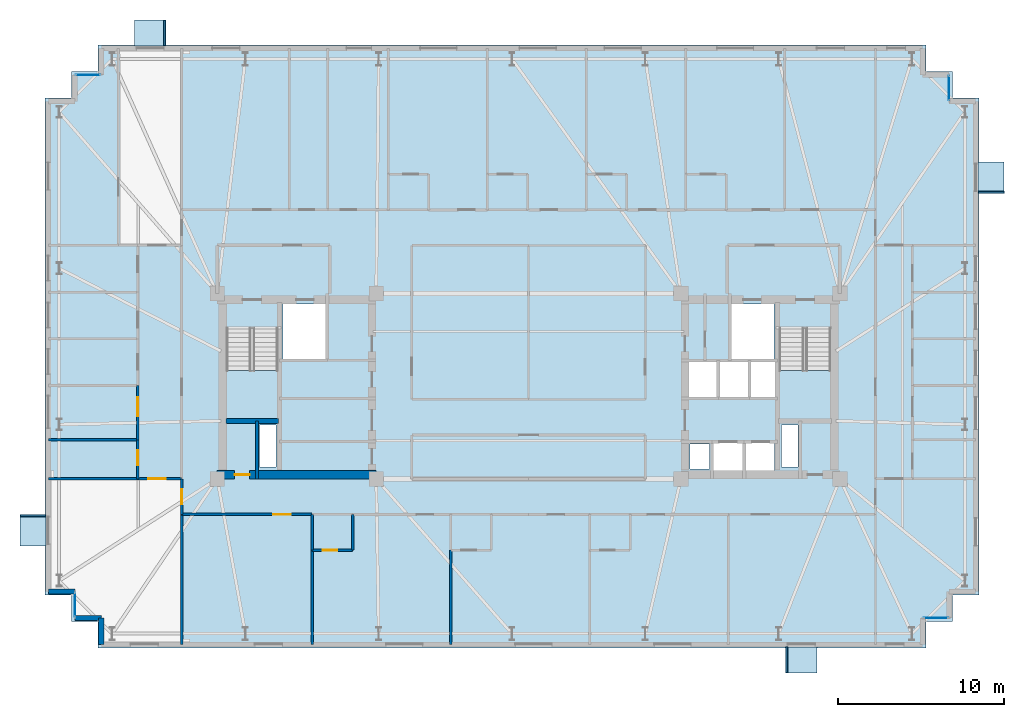
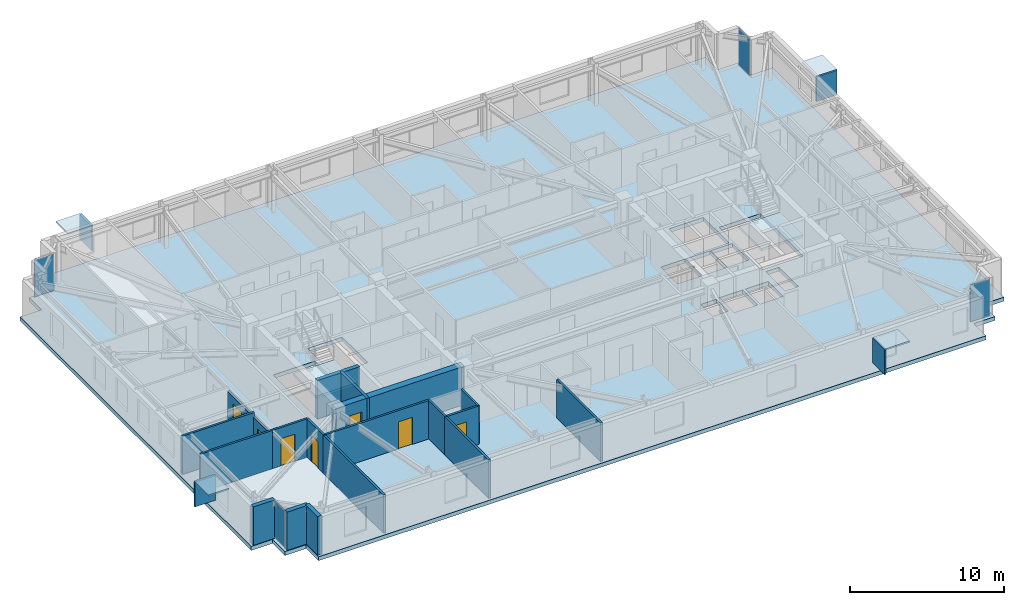
# One storey, part 10 of 19: 19 walls, 12 plates, 7 doors, 3 slabs, 7 openings, 6 elements without a shape of their own.
"""IFC4 building model written with IfcOpenShell, lengths in metres."""

from ifc_helpers import new_model, si_unit, direction, frame, frame_2d, origin, origin_2d, place, context, subcontext, project, spatial, polyline, rectangle, outline, extrude, material, layer, layer_set, type_object, element, fill, aggregate, save


model = new_model("IFC4")

# Units and contexts
model_context = context("Model", 3, precision=1e-05, world=origin(), true_north=direction((0.0, 1.0)))
body_context = subcontext(model_context, "Body", "Model", "MODEL_VIEW")
ifc_project = project(units=[si_unit("LENGTHUNIT", "METRE"), si_unit("AREAUNIT", "SQUARE_METRE"), si_unit("VOLUMEUNIT", "CUBIC_METRE"), si_unit("PLANEANGLEUNIT", "RADIAN"), si_unit("MASSUNIT", "GRAM", prefix="KILO")], contexts=[model_context])

# Site, building, storey
site_placement = place(None, origin())
site = spatial("IfcSite", under=ifc_project, at=site_placement, CompositionType="ELEMENT")
building_placement = place(site_placement, origin())
building = spatial("IfcBuilding", under=site, at=building_placement, Name="Qobustan Lattice House", CompositionType="ELEMENT")
storey_placement = place(building_placement, frame((0.0, 0.0, 137.699951171875)))
storey = spatial("IfcBuildingStorey", under=building, at=storey_placement, Name="L38", CompositionType="ELEMENT", Elevation=137.699951171875)

# Curtain wall, plate
ifc_material_1 = material(Name="Anodised aluminium and low-E glazing", Category="aluminium")
ifc_layer_1 = layer(ifc_material_1, 0.219970703125)
ifc_layer_set_1 = layer_set([ifc_layer_1], Name="Anodised aluminium and low-E glazing")
curtain_wall_type = type_object("IfcCurtainWallType", Name="CW-FAC-02", PredefinedType="USERDEFINED", material=ifc_layer_set_1)
curtain_wall_1_placement = place(storey_placement, origin())
curtain_wall_1 = element("IfcCurtainWall", 1, at=curtain_wall_1_placement, inside=storey, type_object=curtain_wall_type, Name="L38 serrated corner faceted glazing 3", ObjectType="CURTAIN WALL", PredefinedType="USERDEFINED")
ifc_material_2 = material(Name="Clear low-E laminated glass", Category="glass")
ifc_layer_2 = layer(ifc_material_2, 0.031982421875)
ifc_layer_set_2 = layer_set([ifc_layer_2], Name="Clear low-E laminated glass")
plate_type_1 = type_object("IfcPlateType", Name="CWP-VISION-32", PredefinedType="CURTAIN_PANEL", material=ifc_layer_set_2)
plate_1_placement = place(storey_placement, frame((-27.39990234375, -13.199951171875, 0.06494140625), z_axis=(0.0, 0.0, 1.0), x_axis=(0.0, 1.0, 0.0)))
plate_1 = element("IfcPlate", 2, at=plate_1_placement, type_object=plate_type_1, Name="CW-F2 panel 1.1", PredefinedType="CURTAIN_PANEL", context=body_context, shape_type="SweptSolid", body=[
    extrude(rectangle(XDim=1.4599609375, YDim=0.031982421875, at=origin_2d()), origin(), (0.0, 0.0, 1.0), 2.909912109375),
])
aggregate(curtain_wall_1, [plate_1])

curtain_wall_2_placement = place(storey_placement, origin())
curtain_wall_2 = element("IfcCurtainWall", 3, at=curtain_wall_2_placement, inside=storey, type_object=curtain_wall_type, Name="L38 serrated corner faceted glazing 8", ObjectType="CURTAIN WALL", PredefinedType="USERDEFINED")
plate_2_placement = place(storey_placement, frame((-26.60009765625, 18.800048828125, 0.06494140625), z_axis=(0.0, 0.0, 1.0), x_axis=(1.0, 0.0, 0.0)))
plate_2 = element("IfcPlate", 4, at=plate_2_placement, type_object=plate_type_1, Name="CW-F2 panel 1.1", PredefinedType="CURTAIN_PANEL", context=body_context, shape_type="SweptSolid", body=[
    extrude(rectangle(XDim=1.4599609375, YDim=0.031982421875, at=origin_2d()), origin(), (0.0, 0.0, 1.0), 2.909912109375),
])
aggregate(curtain_wall_2, [plate_2])

curtain_wall_3_placement = place(storey_placement, origin())
curtain_wall_3 = element("IfcCurtainWall", 5, at=curtain_wall_3_placement, inside=storey, type_object=curtain_wall_type, Name="L38 serrated corner faceted glazing 13", ObjectType="CURTAIN WALL", PredefinedType="USERDEFINED")
plate_3_placement = place(storey_placement, frame((25.39990234375, 18.0, 0.06494140625), z_axis=(0.0, 0.0, 1.0), x_axis=(0.0, -1.0, 0.0)))
plate_3 = element("IfcPlate", 6, at=plate_3_placement, type_object=plate_type_1, Name="CW-F2 panel 1.1", PredefinedType="CURTAIN_PANEL", context=body_context, shape_type="SweptSolid", body=[
    extrude(rectangle(XDim=1.4599609375, YDim=0.031982421875, at=origin_2d()), origin(), (0.0, 0.0, 1.0), 2.909912109375),
])
aggregate(curtain_wall_3, [plate_3])

curtain_wall_4_placement = place(storey_placement, origin())
curtain_wall_4 = element("IfcCurtainWall", 7, at=curtain_wall_4_placement, inside=storey, type_object=curtain_wall_type, Name="L38 serrated corner faceted glazing 18", ObjectType="CURTAIN WALL", PredefinedType="USERDEFINED")
plate_4_placement = place(storey_placement, frame((24.60009765625, -14.0, 0.06494140625), z_axis=(0.0, 0.0, 1.0), x_axis=(-1.0, 0.0, 0.0)))
plate_4 = element("IfcPlate", 8, at=plate_4_placement, type_object=plate_type_1, Name="CW-F2 panel 1.1", PredefinedType="CURTAIN_PANEL", context=body_context, shape_type="SweptSolid", body=[
    extrude(rectangle(XDim=1.4599609375, YDim=0.031982421875, at=origin_2d()), origin(), (0.0, 0.0, 1.0), 2.909912109375),
])
aggregate(curtain_wall_4, [plate_4])

# Plates
ifc_material_3 = material(Name="Qobustan limestone GFRC", Category="masonry")
ifc_layer_3 = layer(ifc_material_3, 0.1201171875)
ifc_layer_set_3 = layer_set([ifc_layer_3], Name="Qobustan limestone GFRC")
plate_type_2 = type_object("IfcPlateType", Name="SHD-HOOD-BROW", PredefinedType="USERDEFINED", material=ifc_layer_set_3)
plate_5_placement = place(storey_placement, frame((-29.929931640625, -8.719970703125, 2.699951171875), z_axis=(0.0, 0.0, 1.0), x_axis=(0.0, 1.0, 0.0)))
element("IfcPlate", 9, at=plate_5_placement, inside=storey, type_object=plate_type_2, Name="L38 splayed Qobustan stone hood brow", ObjectType="SUNSHADE", PredefinedType="USERDEFINED", context=body_context, shape_type="SweptSolid", body=[
    extrude(rectangle(XDim=1.889892578125, YDim=1.56005859375, at=origin_2d()), origin(), (0.0, 0.0, 1.0), 0.1201171875),
])
plate_6_placement = place(storey_placement, frame((-29.929931640625, -7.8349609375, 0.7900390625), z_axis=(0.0, 0.0, 1.0), x_axis=(0.0, 1.0, 0.0)))
element("IfcPlate", 10, at=plate_6_placement, inside=storey, type_object=plate_type_2, Name="L38 splayed Qobustan stone hood cheek", ObjectType="SUNSHADE", PredefinedType="USERDEFINED", context=body_context, shape_type="SweptSolid", body=[
    extrude(rectangle(XDim=0.1201171875, YDim=1.56005859375, at=origin_2d()), origin(), (0.0, 0.0, 1.0), 1.969970703125),
])
plate_7_placement = place(storey_placement, frame((-22.840087890625, 21.330078125, 2.699951171875), z_axis=(0.0, 0.0, 1.0), x_axis=(1.0, 0.0, 0.0)))
element("IfcPlate", 11, at=plate_7_placement, inside=storey, type_object=plate_type_2, Name="L38 splayed Qobustan stone hood brow", ObjectType="SUNSHADE", PredefinedType="USERDEFINED", context=body_context, shape_type="SweptSolid", body=[
    extrude(rectangle(XDim=1.889892578125, YDim=1.56005859375, at=origin_2d()), origin(), (0.0, 0.0, 1.0), 0.1201171875),
])
plate_8_placement = place(storey_placement, frame((-21.955078125, 21.330078125, 0.7900390625), z_axis=(0.0, 0.0, 1.0), x_axis=(1.0, 0.0, 0.0)))
element("IfcPlate", 12, at=plate_8_placement, inside=storey, type_object=plate_type_2, Name="L38 splayed Qobustan stone hood cheek", ObjectType="SUNSHADE", PredefinedType="USERDEFINED", context=body_context, shape_type="SweptSolid", body=[
    extrude(rectangle(XDim=0.1201171875, YDim=1.56005859375, at=origin_2d()), origin(), (0.0, 0.0, 1.0), 1.969970703125),
])
plate_9_placement = place(storey_placement, frame((27.929931640625, 12.60009765625, 2.699951171875), z_axis=(0.0, 0.0, 1.0), x_axis=(0.0, -1.0, 0.0)))
element("IfcPlate", 13, at=plate_9_placement, inside=storey, type_object=plate_type_2, Name="L38 splayed Qobustan stone hood brow", ObjectType="SUNSHADE", PredefinedType="USERDEFINED", context=body_context, shape_type="SweptSolid", body=[
    extrude(rectangle(XDim=1.889892578125, YDim=1.56005859375, at=origin_2d()), origin(), (0.0, 0.0, 1.0), 0.1201171875),
])
plate_10_placement = place(storey_placement, frame((27.929931640625, 11.715087890625, 0.7900390625), z_axis=(0.0, 0.0, 1.0), x_axis=(0.0, -1.0, 0.0)))
element("IfcPlate", 14, at=plate_10_placement, inside=storey, type_object=plate_type_2, Name="L38 splayed Qobustan stone hood cheek", ObjectType="SUNSHADE", PredefinedType="USERDEFINED", context=body_context, shape_type="SweptSolid", body=[
    extrude(rectangle(XDim=0.1201171875, YDim=1.56005859375, at=origin_2d()), origin(), (0.0, 0.0, 1.0), 1.969970703125),
])
plate_11_placement = place(storey_placement, frame((16.47998046875, -16.530029296875, 2.699951171875), z_axis=(0.0, 0.0, 1.0), x_axis=(-1.0, 0.0, 0.0)))
element("IfcPlate", 15, at=plate_11_placement, inside=storey, type_object=plate_type_2, Name="L38 splayed Qobustan stone hood brow", ObjectType="SUNSHADE", PredefinedType="USERDEFINED", context=body_context, shape_type="SweptSolid", body=[
    extrude(rectangle(XDim=1.889892578125, YDim=1.56005859375, at=origin_2d()), origin(), (0.0, 0.0, 1.0), 0.1201171875),
])
plate_12_placement = place(storey_placement, frame((15.594970703125, -16.530029296875, 0.7900390625), z_axis=(0.0, 0.0, 1.0), x_axis=(-1.0, 0.0, 0.0)))
element("IfcPlate", 16, at=plate_12_placement, inside=storey, type_object=plate_type_2, Name="L38 splayed Qobustan stone hood cheek", ObjectType="SUNSHADE", PredefinedType="USERDEFINED", context=body_context, shape_type="SweptSolid", body=[
    extrude(rectangle(XDim=0.1201171875, YDim=1.56005859375, at=origin_2d()), origin(), (0.0, 0.0, 1.0), 1.969970703125),
])

# Slab
ifc_material_4 = material(Name="Concrete C40/50", Category="concrete")
ifc_layer_4 = layer(ifc_material_4, 0.31005859375)
ifc_layer_set_4 = layer_set([ifc_layer_4], Name="Concrete C40/50")
slab_type_1 = type_object("IfcSlabType", Name="SLB-FLR-310", PredefinedType="FLOOR", material=ifc_layer_set_4)
slab_1_placement = place(storey_placement, frame((0.0, 0.0, -0.31005859375)))
element("IfcSlab", 17, at=slab_1_placement, inside=storey, type_object=slab_type_1, Name="L38 structural floor slab", PredefinedType="FLOOR", context=body_context, shape_type="SweptSolid", body=[
    extrude(outline(polyline([(-26.0, -15.800048828125), (24.0, -15.800048828125), (24.0, -14.199951171875), (25.60009765625, -14.199951171875), (25.60009765625, -12.60009765625), (27.199951171875, -12.60009765625), (27.199951171875, 17.39990234375), (25.60009765625, 17.39990234375), (25.60009765625, 19.0), (24.0, 19.0), (24.0, 20.60009765625), (-26.0, 20.60009765625), (-26.0, 19.0), (-27.60009765625, 19.0), (-27.60009765625, 17.39990234375), (-29.199951171875, 17.39990234375), (-29.199951171875, -12.60009765625), (-27.60009765625, -12.60009765625), (-27.60009765625, -14.199951171875), (-26.0, -14.199951171875), (-26.0, -15.800048828125)]), holes=[polyline([(-18.25, -2.050048828125), (-18.25, 3.489990234375), (-15.1298828125, 3.489990234375), (-15.1298828125, -2.050048828125), (-18.25, -2.050048828125)]), polyline([(15.1298828125, -2.050048828125), (15.1298828125, 3.489990234375), (18.25, 3.489990234375), (18.25, -2.050048828125), (15.1298828125, -2.050048828125)]), polyline([(-14.820068359375, 1.64990234375), (-14.820068359375, 4.9599609375), (-12.25, 4.9599609375), (-12.25, 1.64990234375), (-14.820068359375, 1.64990234375)]), polyline([(12.25, 1.64990234375), (12.25, 4.9599609375), (14.820068359375, 4.9599609375), (14.820068359375, 1.64990234375), (12.25, 1.64990234375)]), polyline([(-16.260009765625, -4.8798828125), (-16.260009765625, -2.360107421875), (-15.260009765625, -2.360107421875), (-15.260009765625, -4.8798828125), (-16.260009765625, -4.8798828125)]), polyline([(15.260009765625, -4.8798828125), (15.260009765625, -2.360107421875), (16.260009765625, -2.360107421875), (16.260009765625, -4.8798828125), (15.260009765625, -4.8798828125)]), polyline([(11.179931640625, -5.35009765625), (11.179931640625, -3.419921875), (12.919921875, -3.419921875), (12.919921875, -5.35009765625), (11.179931640625, -5.35009765625)]), polyline([(13.1201171875, -5.35009765625), (13.1201171875, -3.419921875), (14.85009765625, -3.419921875), (14.85009765625, -5.35009765625), (13.1201171875, -5.35009765625)]), polyline([(9.760009765625, -5.0), (9.760009765625, -3.47998046875), (10.93994140625, -3.47998046875), (10.93994140625, -5.0), (9.760009765625, -5.0)]), polyline([(13.360107421875, -0.679931640625), (13.360107421875, 1.47998046875), (14.97998046875, 1.47998046875), (14.97998046875, -0.679931640625), (13.360107421875, -0.679931640625)]), polyline([(9.6201171875, -0.679931640625), (9.6201171875, 1.47998046875), (11.43994140625, 1.47998046875), (11.43994140625, -0.679931640625), (9.6201171875, -0.679931640625)]), polyline([(11.5, -0.679931640625), (11.5, 1.47998046875), (13.320068359375, 1.47998046875), (13.320068359375, -0.679931640625), (11.5, -0.679931640625)])]), origin(), (0.0, 0.0, 1.0), 0.31005859375),
])

# Stair, slab
ifc_material_5 = material(Name="Concrete C40/50", Category="concrete")
stair_type = type_object("IfcStairType", Name="STR-CORE-DOGLEG", PredefinedType="HALF_TURN_STAIR", material=ifc_material_5)
stair_1_placement = place(storey_placement, origin())
stair_1 = element("IfcStair", 18, at=stair_1_placement, inside=storey, type_object=stair_type, Name="L38 West protected exit stair ST-W1", PredefinedType="HALF_TURN_STAIR")
ifc_material_6 = material(Name="Concrete C40/50", Category="concrete")
ifc_layer_5 = layer(ifc_material_6, 0.199951171875)
ifc_layer_set_5 = layer_set([ifc_layer_5], Name="Concrete C40/50")
slab_type_2 = type_object("IfcSlabType", Name="SLB-LANDING-200", PredefinedType="LANDING", material=ifc_layer_set_5)
slab_2_placement = place(storey_placement, frame((0.0, 0.0, 1.47509765625)))
slab_2 = element("IfcSlab", 19, at=slab_2_placement, type_object=slab_type_2, Name="ST-W1 landing 1", PredefinedType="LANDING", context=body_context, shape_type="SweptSolid", body=[
    extrude(outline(polyline([(-18.25, 0.93505859375), (-18.25, -2.050048828125), (-15.1298828125, -2.050048828125), (-15.1298828125, 0.93505859375), (-18.25, 0.93505859375)])), origin(), (0.0, 0.0, 1.0), 0.199951171875),
])
aggregate(stair_1, [slab_2])

stair_2_placement = place(storey_placement, origin())
stair_2 = element("IfcStair", 20, at=stair_2_placement, inside=storey, type_object=stair_type, Name="L38 East protected exit stair ST-E1", PredefinedType="HALF_TURN_STAIR")
slab_3_placement = place(storey_placement, frame((0.0, 0.0, 1.47509765625)))
slab_3 = element("IfcSlab", 21, at=slab_3_placement, type_object=slab_type_2, Name="ST-E1 landing 1", PredefinedType="LANDING", context=body_context, shape_type="SweptSolid", body=[
    extrude(outline(polyline([(15.1298828125, 0.93505859375), (15.1298828125, -2.050048828125), (18.25, -2.050048828125), (18.25, 0.93505859375), (15.1298828125, 0.93505859375)])), origin(), (0.0, 0.0, 1.0), 0.199951171875),
])
aggregate(stair_2, [slab_3])

# Wall, opening, door
ifc_material_7 = material(Name="Concrete C50/60", Category="concrete")
ifc_layer_6 = layer(ifc_material_7, 0.5)
ifc_layer_set_6 = layer_set([ifc_layer_6], Name="Concrete C50/60")
wall_type_1 = type_object("IfcWallType", Name="WAL-CORE-500", PredefinedType="SHEAR", material=ifc_layer_set_6)
wall_1_placement = place(storey_placement, frame((-18.800048828125, -5.35009765625, 0.0), z_axis=(0.0, 0.0, 1.0), x_axis=(1.0, 0.0, 0.0)))
wall_1 = element("IfcWall", 22, at=wall_1_placement, inside=storey, type_object=wall_type_1, Name="L38 split-core shear wall CW-S", PredefinedType="SHEAR", context=body_context, shape_type="SweptSolid", body=[
    extrude(rectangle(XDim=9.60009765625, YDim=0.5, at=frame_2d((4.800048828125, 0.0))), origin(), (0.0, 0.0, 1.0), 3.0400390625),
])
opening_1_placement = place(wall_1_placement, frame((1.050048828125, 0.0, 0.0)))
opening_1 = element("IfcOpeningElement", 23, at=opening_1_placement, cuts=wall_1, Name="Opening RD-01", PredefinedType="OPENING", context=body_context, shape_type="SweptSolid", body=[
    extrude(rectangle(XDim=0.89990234375, YDim=2.10009765625, at=frame_2d((0.449951171875, 1.050048828125))), frame((0.0, 0.260009765625, 0.0), z_axis=(0.0, -1.0, 0.0), x_axis=(1.0, 0.0, 0.0)), (0.0, 0.0, 1.0), 0.52001953125),
])
ifc_material_8 = material(Name="Persian walnut timber and steel frame door", Category="steel")
door_type_1 = type_object("IfcDoorType", Name="DOR-RISER-FD-900x2100", OperationType="NOTDEFINED", PredefinedType="DOOR", material=ifc_material_8)
door_1_placement = place(opening_1_placement, origin())
door_1 = element("IfcDoor", 24, at=door_1_placement, inside=storey, type_object=door_type_1, Name="L38 core service riser access door W", OperationType="SINGLE_SWING_LEFT", OverallHeight=2.10009765625, OverallWidth=0.89990234375, PredefinedType="DOOR", context=body_context, shape_type="SweptSolid", body=[
    extrude(rectangle(XDim=0.89990234375, YDim=2.10009765625, at=frame_2d((0.449951171875, 1.050048828125))), frame((0.0, 0.02490234375, 0.0), z_axis=(0.0, -1.0, 0.0), x_axis=(1.0, 0.0, 0.0)), (0.0, 0.0, 1.0), 0.050048828125),
])
fill(opening_1, door_1)

# Walls
ifc_material_9 = material(Name="Concrete C50/60", Category="concrete")
ifc_layer_7 = layer(ifc_material_9, 0.280029296875)
ifc_layer_set_7 = layer_set([ifc_layer_7], Name="Concrete C50/60")
wall_type_2 = type_object("IfcWallType", Name="WAL-CORE-SPINE-280", PredefinedType="SHEAR", material=ifc_layer_set_7)
wall_2_placement = place(storey_placement, frame((-18.280029296875, -2.110107421875, 0.0), z_axis=(0.0, 0.0, 1.0), x_axis=(1.0, 0.0, 0.0)))
element("IfcWall", 25, at=wall_2_placement, inside=storey, type_object=wall_type_2, Name="L38 split-core shear wall CW-ST", PredefinedType="SHEAR", context=body_context, shape_type="SweptSolid", body=[
    extrude(rectangle(XDim=3.179931640625, YDim=0.300048828125, at=frame_2d((1.58984375, 0.0))), origin(), (0.0, 0.0, 1.0), 3.0400390625),
])
ifc_material_10 = material(Name="Precast concrete C40/50", Category="concrete")
ifc_layer_8 = layer(ifc_material_10, 0.320068359375)
ifc_layer_set_8 = layer_set([ifc_layer_8], Name="Precast concrete C40/50")
wall_type_3 = type_object("IfcWallType", Name="WAL-EXT-STONE-320", PredefinedType="SOLIDWALL", material=ifc_layer_set_8)
wall_3_placement = place(storey_placement, frame((-25.800048828125, -15.60009765625, 0.0), z_axis=(0.0, 0.0, 1.0), x_axis=(0.0, 1.0, 0.0)))
element("IfcWall", 26, at=wall_3_placement, inside=storey, type_object=wall_type_3, Name="L38 exterior limestone-clad wall 1", PredefinedType="SOLIDWALL", context=body_context, shape_type="SweptSolid", body=[
    extrude(rectangle(XDim=1.60009765625, YDim=0.320068359375, at=frame_2d((0.800048828125, 0.0))), origin(), (0.0, 0.0, 1.0), 3.0400390625),
])
wall_4_placement = place(storey_placement, frame((-25.800048828125, -14.0, 0.0), z_axis=(0.0, 0.0, 1.0), x_axis=(-1.0, 0.0, 0.0)))
element("IfcWall", 27, at=wall_4_placement, inside=storey, type_object=wall_type_3, Name="L38 exterior limestone-clad wall 2", PredefinedType="SOLIDWALL", context=body_context, shape_type="SweptSolid", body=[
    extrude(rectangle(XDim=1.599853515625, YDim=0.320068359375, at=frame_2d((0.7998046875, 0.0))), origin(), (0.0, 0.0, 1.0), 3.0400390625),
])
wall_5_placement = place(storey_placement, frame((-27.39990234375, -12.39990234375, 0.0), z_axis=(0.0, 0.0, 1.0), x_axis=(-1.0, 0.0, 0.0)))
element("IfcWall", 28, at=wall_5_placement, inside=storey, type_object=wall_type_3, Name="L38 exterior limestone-clad wall 4", PredefinedType="SOLIDWALL", context=body_context, shape_type="SweptSolid", body=[
    extrude(rectangle(XDim=1.60009765625, YDim=0.320068359375, at=frame_2d((0.800048828125, 0.0))), origin(), (0.0, 0.0, 1.0), 3.0400390625),
])

# Wall, opening, door
ifc_material_11 = material(Name="Acoustic twin-stud gypsum partition", Category="gypsum")
ifc_layer_9 = layer(ifc_material_11, 0.14990234375)
ifc_layer_set_9 = layer_set([ifc_layer_9], Name="Acoustic twin-stud gypsum partition")
wall_type_4 = type_object("IfcWallType", Name="WAL-PART-150", PredefinedType="PARTITIONING", material=ifc_layer_set_9)
wall_6_placement = place(storey_placement, frame((-20.949951171875, -7.75, 0.0), z_axis=(0.0, 0.0, 1.0), x_axis=(0.0, 1.0, 0.0)))
wall_6 = element("IfcWall", 29, at=wall_6_placement, inside=storey, type_object=wall_type_4, Name="L38 interior partition 47", PredefinedType="PARTITIONING", context=body_context, shape_type="SweptSolid", body=[
    extrude(rectangle(XDim=2.14990234375, YDim=0.14990234375, at=frame_2d((1.074951171875, 0.0))), origin(), (0.0, 0.0, 1.0), 3.0400390625),
])
opening_2_placement = place(wall_6_placement, frame((0.625, 0.0, 0.0)))
opening_2 = element("IfcOpeningElement", 30, at=opening_2_placement, cuts=wall_6, Name="Opening WD-01", PredefinedType="OPENING", context=body_context, shape_type="SweptSolid", body=[
    extrude(rectangle(XDim=0.89990234375, YDim=2.10009765625, at=frame_2d((0.449951171875, 1.050048828125))), frame((0.0, 0.0849609375, 0.0), z_axis=(0.0, -1.0, 0.0), x_axis=(1.0, 0.0, 0.0)), (0.0, 0.0, 1.0), 0.169921875),
])
ifc_material_12 = material(Name="Persian walnut timber and steel frame door", Category="steel")
door_type_2 = type_object("IfcDoorType", Name="DOR-WET-900x2100", OperationType="NOTDEFINED", PredefinedType="DOOR", material=ifc_material_12)
door_2_placement = place(opening_2_placement, origin())
door_2 = element("IfcDoor", 31, at=door_2_placement, inside=storey, type_object=door_type_2, Name="L38 South-west floor corridor to Reading study room L38WS door", OperationType="SINGLE_SWING_RIGHT", OverallHeight=2.10009765625, OverallWidth=0.89990234375, PredefinedType="DOOR", context=body_context, shape_type="SweptSolid", body=[
    extrude(rectangle(XDim=0.89990234375, YDim=2.10009765625, at=frame_2d((0.449951171875, 1.050048828125))), frame((0.0, 0.02490234375, 0.0), z_axis=(0.0, -1.0, 0.0), x_axis=(1.0, 0.0, 0.0)), (0.0, 0.0, 1.0), 0.050048828125),
])
fill(opening_2, door_2)

wall_7_placement = place(storey_placement, frame((-13.070068359375, -7.75, 0.0), z_axis=(0.0, 0.0, 1.0), x_axis=(-1.0, 0.0, 0.0)))
wall_7 = element("IfcWall", 32, at=wall_7_placement, inside=storey, type_object=wall_type_4, Name="L38 interior partition 48", PredefinedType="PARTITIONING", context=body_context, shape_type="SweptSolid", body=[
    extrude(rectangle(XDim=7.8798828125, YDim=0.14990234375, at=frame_2d((3.93994140625, 0.0))), origin(), (0.0, 0.0, 1.0), 3.0400390625),
])
opening_3_placement = place(wall_7_placement, frame((1.288818359375, 0.0, 0.0)))
opening_3 = element("IfcOpeningElement", 33, at=opening_3_placement, cuts=wall_7, Name="Opening ID-02", PredefinedType="OPENING", context=body_context, shape_type="SweptSolid", body=[
    extrude(rectangle(XDim=1.050048828125, YDim=2.14990234375, at=frame_2d((0.52490234375, 1.074951171875))), frame((0.0, 0.0849609375, 0.0), z_axis=(0.0, -1.0, 0.0), x_axis=(1.0, 0.0, 0.0)), (0.0, 0.0, 1.0), 0.169921875),
])
ifc_material_13 = material(Name="Persian walnut timber and steel frame door", Category="steel")
door_type_3 = type_object("IfcDoorType", Name="DOR-STUDY-1050x2150", OperationType="NOTDEFINED", PredefinedType="DOOR", material=ifc_material_13)
door_3_placement = place(opening_3_placement, origin())
door_3 = element("IfcDoor", 34, at=door_3_placement, inside=storey, type_object=door_type_3, Name="L38 South-west floor corridor to Focus study room S1 door", OperationType="SINGLE_SWING_LEFT", OverallHeight=2.14990234375, OverallWidth=1.050048828125, PredefinedType="DOOR", context=body_context, shape_type="SweptSolid", body=[
    extrude(rectangle(XDim=1.050048828125, YDim=2.14990234375, at=frame_2d((0.52490234375, 1.074951171875))), frame((0.0, 0.02490234375, 0.0), z_axis=(0.0, -1.0, 0.0), x_axis=(1.0, 0.0, 0.0)), (0.0, 0.0, 1.0), 0.050048828125),
])
fill(opening_3, door_3)

wall_8_placement = place(storey_placement, frame((-20.949951171875, -5.60009765625, 0.0), z_axis=(0.0, 0.0, 1.0), x_axis=(-1.0, 0.0, 0.0)))
wall_8 = element("IfcWall", 35, at=wall_8_placement, inside=storey, type_object=wall_type_4, Name="L38 interior partition 70", PredefinedType="PARTITIONING", context=body_context, shape_type="SweptSolid", body=[
    extrude(rectangle(XDim=2.650146484375, YDim=0.14990234375, at=frame_2d((1.3251953125, 0.0))), origin(), (0.0, 0.0, 1.0), 3.0400390625),
])
opening_4_placement = place(wall_8_placement, frame((0.965087890625, 0.0, 0.0)))
opening_4 = element("IfcOpeningElement", 36, at=opening_4_placement, cuts=wall_8, Name="Opening ID-02", PredefinedType="OPENING", context=body_context, shape_type="SweptSolid", body=[
    extrude(rectangle(XDim=1.050048828125, YDim=2.14990234375, at=frame_2d((0.52490234375, 1.074951171875))), frame((0.0, 0.0849609375, 0.0), z_axis=(0.0, -1.0, 0.0), x_axis=(1.0, 0.0, 0.0)), (0.0, 0.0, 1.0), 0.169921875),
])
door_4_placement = place(opening_4_placement, origin())
door_4 = element("IfcDoor", 37, at=door_4_placement, inside=storey, type_object=door_type_3, Name="L38 Residence entrance hall L38W to Reading study room L38WS door", OperationType="SINGLE_SWING_LEFT", OverallHeight=2.14990234375, OverallWidth=1.050048828125, PredefinedType="DOOR", context=body_context, shape_type="SweptSolid", body=[
    extrude(rectangle(XDim=1.050048828125, YDim=2.14990234375, at=frame_2d((0.52490234375, 1.074951171875))), frame((0.0, 0.02490234375, 0.0), z_axis=(0.0, -1.0, 0.0), x_axis=(1.0, 0.0, 0.0)), (0.0, 0.0, 1.0), 0.050048828125),
])
fill(opening_4, door_4)

# Walls
wall_9_placement = place(storey_placement, frame((-20.949951171875, -7.75, 0.0), z_axis=(0.0, 0.0, 1.0), x_axis=(0.0, -1.0, 0.0)))
element("IfcWall", 38, at=wall_9_placement, inside=storey, type_object=wall_type_4, Name="L38 interior partition 81", PredefinedType="PARTITIONING", context=body_context, shape_type="SweptSolid", body=[
    extrude(rectangle(XDim=7.85009765625, YDim=0.14990234375, at=frame_2d((3.925048828125, 0.0))), origin(), (0.0, 0.0, 1.0), 3.0400390625),
])
for number, where, z_axis, x_axis, name in (
    (39, (-13.070068359375, -9.89990234375, 0.0), (0.0, 0.0, 1.0), (0.0, -1.0, 0.0), "L38 interior partition 120"),
    (40, (-4.68994140625, -9.89990234375, 0.0), (0.0, 0.0, 1.0), (0.0, -1.0, 0.0), "L38 interior partition 124"),
):
    element("IfcWall", number, at=place(storey_placement, frame(where, z_axis=z_axis, x_axis=x_axis)), inside=storey, type_object=wall_type_4, Name=name, PredefinedType="PARTITIONING", context=body_context, shape_type="SweptSolid", body=[
        extrude(rectangle(XDim=5.7001953125, YDim=0.14990234375, at=frame_2d((2.85009765625, 0.0))), origin(), (0.0, 0.0, 1.0), 3.0400390625),
    ])

# Wall, opening, door
ifc_material_14 = material(Name="High-mass acoustic twin-stud partition", Category="gypsum")
ifc_layer_10 = layer(ifc_material_14, 0.1650390625)
ifc_layer_set_10 = layer_set([ifc_layer_10], Name="High-mass acoustic twin-stud partition")
wall_type_5 = type_object("IfcWallType", Name="WAL-PART-165", PredefinedType="PARTITIONING", material=ifc_layer_set_10)
wall_10_placement = place(storey_placement, frame((-23.60009765625, -3.25, 0.0), z_axis=(0.0, 0.0, 1.0), x_axis=(0.0, 1.0, 0.0)))
wall_10 = element("IfcWall", 41, at=wall_10_placement, inside=storey, type_object=wall_type_5, Name="L38 interior partition 72", PredefinedType="PARTITIONING", context=body_context, shape_type="SweptSolid", body=[
    extrude(rectangle(XDim=3.2900390625, YDim=0.1650390625, at=frame_2d((1.64501953125, 0.0))), origin(), (0.0, 0.0, 1.0), 2.695068359375),
])
opening_5_placement = place(wall_10_placement, frame((1.4375, 0.0, 0.0)))
opening_5 = element("IfcOpeningElement", 42, at=opening_5_placement, cuts=wall_10, Name="Opening ID-03", PredefinedType="OPENING", context=body_context, shape_type="SweptSolid", body=[
    extrude(rectangle(XDim=1.14990234375, YDim=2.14990234375, at=frame_2d((0.574951171875, 1.074951171875))), frame((0.0, 0.092529296875, 0.0), z_axis=(0.0, -1.0, 0.0), x_axis=(1.0, 0.0, 0.0)), (0.0, 0.0, 1.0), 0.18505859375),
])
ifc_material_15 = material(Name="Persian walnut timber and steel frame door", Category="steel")
door_type_4 = type_object("IfcDoorType", Name="DOR-KITCH-1150x2150", OperationType="NOTDEFINED", PredefinedType="DOOR", material=ifc_material_15)
door_5_placement = place(opening_5_placement, origin())
door_5 = element("IfcDoor", 43, at=door_5_placement, inside=storey, type_object=door_type_4, Name="L38 Residence entrance hall L38W to Shared kitchen L38W door", OperationType="SINGLE_SWING_LEFT", OverallHeight=2.14990234375, OverallWidth=1.14990234375, PredefinedType="DOOR", context=body_context, shape_type="SweptSolid", body=[
    extrude(rectangle(XDim=1.14990234375, YDim=2.14990234375, at=frame_2d((0.574951171875, 1.074951171875))), frame((0.0, 0.02490234375, 0.0), z_axis=(0.0, -1.0, 0.0), x_axis=(1.0, 0.0, 0.0)), (0.0, 0.0, 1.0), 0.050048828125),
])
fill(opening_5, door_5)

# Wall
ifc_material_16 = material(Name="Concrete C40/50", Category="concrete")
ifc_layer_11 = layer(ifc_material_16, 0.199951171875)
ifc_layer_set_11 = layer_set([ifc_layer_11], Name="Concrete C40/50")
wall_type_6 = type_object("IfcWallType", Name="WAL-SHAFT-200", PredefinedType="PARTITIONING", material=ifc_layer_set_11)
wall_11_placement = place(storey_placement, frame((-16.39990234375, -5.60009765625, 0.0), z_axis=(0.0, 0.0, 1.0), x_axis=(0.0, 1.0, 0.0)))
element("IfcWall", 44, at=wall_11_placement, inside=storey, type_object=wall_type_6, Name="L38 interior partition 1", PredefinedType="PARTITIONING", context=body_context, shape_type="SweptSolid", body=[
    extrude(rectangle(XDim=3.489990234375, YDim=0.199951171875, at=frame_2d((1.7451171875, 0.0))), origin(), (0.0, 0.0, 1.0), 3.0400390625),
])

# Wall, opening, door
ifc_material_17 = material(Name="Moisture-resistant acoustic plumbing wall", Category="gypsum")
ifc_layer_12 = layer(ifc_material_17, 0.14990234375)
ifc_layer_set_12 = layer_set([ifc_layer_12], Name="Moisture-resistant acoustic plumbing wall")
wall_type_7 = type_object("IfcWallType", Name="WAL-WET-150", PredefinedType="PLUMBINGWALL", material=ifc_layer_set_12)
wall_12_placement = place(storey_placement, frame((-23.60009765625, -5.60009765625, 0.0), z_axis=(0.0, 0.0, 1.0), x_axis=(0.0, 1.0, 0.0)))
wall_12 = element("IfcWall", 45, at=wall_12_placement, inside=storey, type_object=wall_type_7, Name="L38 interior partition 71", PredefinedType="PLUMBINGWALL", context=body_context, shape_type="SweptSolid", body=[
    extrude(rectangle(XDim=2.35009765625, YDim=0.14990234375, at=frame_2d((1.175048828125, 0.0))), origin(), (0.0, 0.0, 1.0), 2.695068359375),
])
opening_6_placement = place(wall_12_placement, frame((0.833740234375, 0.0, 0.0)))
opening_6 = element("IfcOpeningElement", 46, at=opening_6_placement, cuts=wall_12, Name="Opening WD-01", PredefinedType="OPENING", context=body_context, shape_type="SweptSolid", body=[
    extrude(rectangle(XDim=0.89990234375, YDim=2.10009765625, at=frame_2d((0.449951171875, 1.050048828125))), frame((0.0, 0.0849609375, 0.0), z_axis=(0.0, -1.0, 0.0), x_axis=(1.0, 0.0, 0.0)), (0.0, 0.0, 1.0), 0.169921875),
])
door_6_placement = place(opening_6_placement, origin())
door_6 = element("IfcDoor", 47, at=door_6_placement, inside=storey, type_object=door_type_2, Name="L38 Residence entrance hall L38W to Shared bathroom L38W door", OperationType="SINGLE_SWING_RIGHT", OverallHeight=2.10009765625, OverallWidth=0.89990234375, PredefinedType="DOOR", context=body_context, shape_type="SweptSolid", body=[
    extrude(rectangle(XDim=0.89990234375, YDim=2.10009765625, at=frame_2d((0.449951171875, 1.050048828125))), frame((0.0, 0.02490234375, 0.0), z_axis=(0.0, -1.0, 0.0), x_axis=(1.0, 0.0, 0.0)), (0.0, 0.0, 1.0), 0.050048828125),
])
fill(opening_6, door_6)

# Walls
for number, where, z_axis, x_axis, name in (
    (48, (-29.0, -5.60009765625, 0.0), (0.0, 0.0, 1.0), (1.0, 0.0, 0.0), "L38 interior partition 80"),
    (49, (-29.0, -3.25, 0.0), (0.0, 0.0, 1.0), (1.0, 0.0, 0.0), "L38 interior partition 82"),
):
    element("IfcWall", number, at=place(storey_placement, frame(where, z_axis=z_axis, x_axis=x_axis)), inside=storey, type_object=wall_type_7, Name=name, PredefinedType="PLUMBINGWALL", context=body_context, shape_type="SweptSolid", body=[
        extrude(rectangle(XDim=5.39990234375, YDim=0.14990234375, at=frame_2d((2.699951171875, 0.0))), origin(), (0.0, 0.0, 1.0), 3.0400390625),
    ])
wall_13_placement = place(storey_placement, frame((-13.070068359375, -7.75, 0.0), z_axis=(0.0, 0.0, 1.0), x_axis=(0.0, -1.0, 0.0)))
element("IfcWall", 50, at=wall_13_placement, inside=storey, type_object=wall_type_7, Name="L38 interior partition 121", PredefinedType="PLUMBINGWALL", context=body_context, shape_type="SweptSolid", body=[
    extrude(rectangle(XDim=2.14990234375, YDim=0.14990234375, at=frame_2d((1.074951171875, 0.0))), origin(), (0.0, 0.0, 1.0), 3.0400390625),
])

# Wall, opening, door
wall_14_placement = place(storey_placement, frame((-13.070068359375, -9.89990234375, 0.0), z_axis=(0.0, 0.0, 1.0), x_axis=(1.0, 0.0, 0.0)))
wall_14 = element("IfcWall", 51, at=wall_14_placement, inside=storey, type_object=wall_type_7, Name="L38 interior partition 122", PredefinedType="PLUMBINGWALL", context=body_context, shape_type="SweptSolid", body=[
    extrude(rectangle(XDim=2.449951171875, YDim=0.14990234375, at=frame_2d((1.22509765625, 0.0))), origin(), (0.0, 0.0, 1.0), 3.0400390625),
])
opening_7_placement = place(wall_14_placement, frame((0.62890625, 0.0, 0.0)))
opening_7 = element("IfcOpeningElement", 52, at=opening_7_placement, cuts=wall_14, Name="Opening WD-01", PredefinedType="OPENING", context=body_context, shape_type="SweptSolid", body=[
    extrude(rectangle(XDim=0.89990234375, YDim=2.10009765625, at=frame_2d((0.449951171875, 1.050048828125))), frame((0.0, 0.0849609375, 0.0), z_axis=(0.0, -1.0, 0.0), x_axis=(1.0, 0.0, 0.0)), (0.0, 0.0, 1.0), 0.169921875),
])
door_7_placement = place(opening_7_placement, origin())
door_7 = element("IfcDoor", 53, at=door_7_placement, inside=storey, type_object=door_type_2, Name="L38 Kitchenette and studio apartment L38-S2 to En-suite bathroom L38-S2 door", OperationType="SINGLE_SWING_LEFT", OverallHeight=2.10009765625, OverallWidth=0.89990234375, PredefinedType="DOOR", context=body_context, shape_type="SweptSolid", body=[
    extrude(rectangle(XDim=0.89990234375, YDim=2.10009765625, at=frame_2d((0.449951171875, 1.050048828125))), frame((0.0, 0.02490234375, 0.0), z_axis=(0.0, -1.0, 0.0), x_axis=(1.0, 0.0, 0.0)), (0.0, 0.0, 1.0), 0.050048828125),
])
fill(opening_7, door_7)

# Wall
wall_15_placement = place(storey_placement, frame((-10.6201171875, -9.89990234375, 0.0), z_axis=(0.0, 0.0, 1.0), x_axis=(0.0, 1.0, 0.0)))
element("IfcWall", 54, at=wall_15_placement, inside=storey, type_object=wall_type_7, Name="L38 interior partition 123", PredefinedType="PLUMBINGWALL", context=body_context, shape_type="SweptSolid", body=[
    extrude(rectangle(XDim=2.14990234375, YDim=0.14990234375, at=frame_2d((1.074951171875, 0.0))), origin(), (0.0, 0.0, 1.0), 3.0400390625),
])

save(model, "model.ifc")
